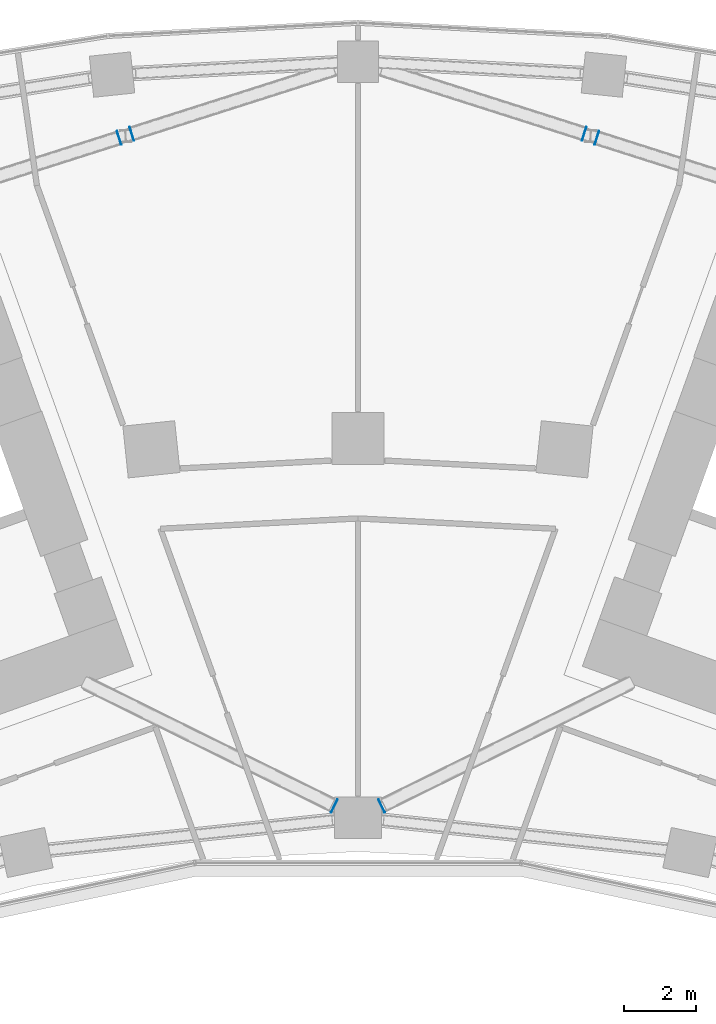
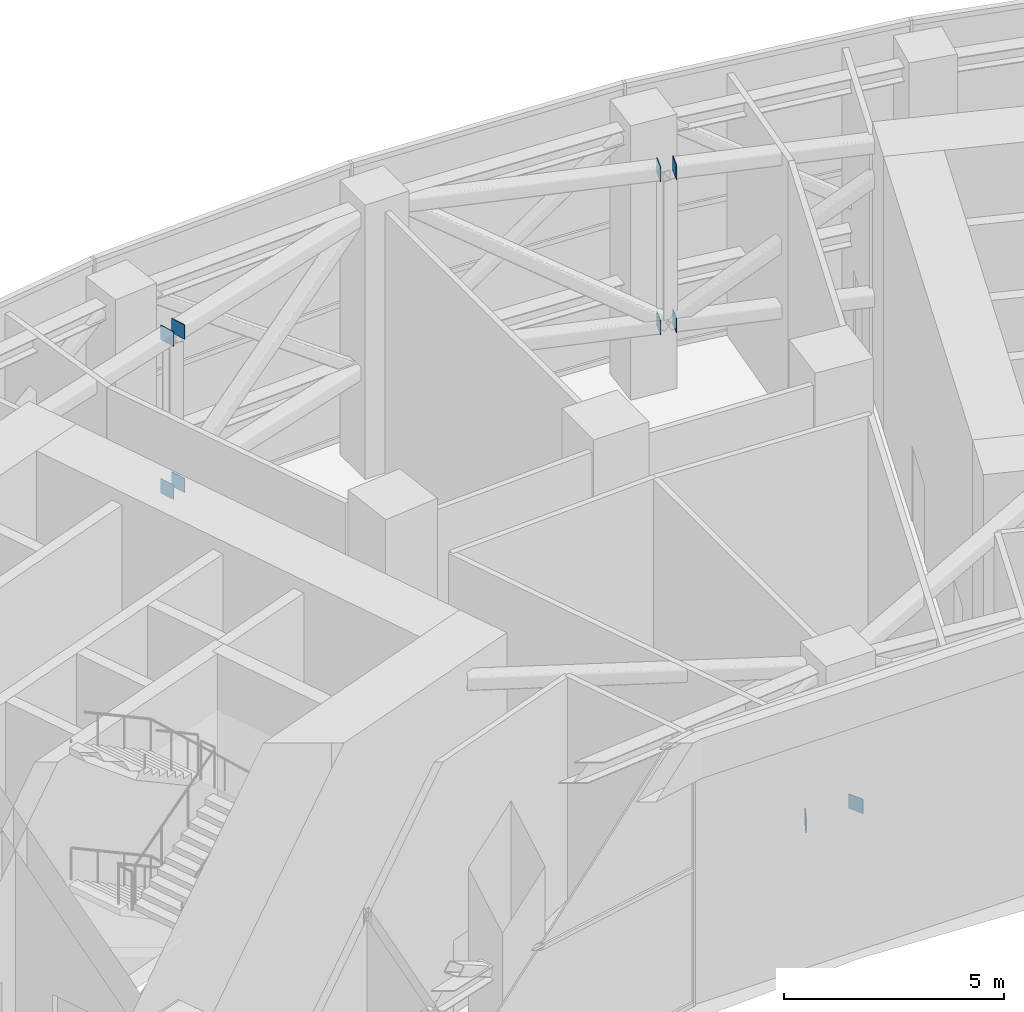
# One storey, part 21 of 30: 10 plates.
"""IFC4 building model written with IfcOpenShell, lengths in metres."""

from ifc_helpers import new_model, si_unit, direction, frame, origin, origin_2d, place, context, subcontext, project, spatial, rectangle, extrude, material, layer, layer_set, type_object, element, save


model = new_model("IFC4")

# Units and contexts
model_context = context("Model", 3, precision=1e-05, world=origin(), true_north=direction((0.0, 1.0)))
body_context = subcontext(model_context, "Body", "Model", "MODEL_VIEW")
ifc_project = project(units=[si_unit("LENGTHUNIT", "METRE"), si_unit("AREAUNIT", "SQUARE_METRE"), si_unit("VOLUMEUNIT", "CUBIC_METRE"), si_unit("PLANEANGLEUNIT", "RADIAN"), si_unit("MASSUNIT", "GRAM", prefix="KILO")], contexts=[model_context])

# Site, building, storey
site_placement = place(None, origin())
site = spatial("IfcSite", under=ifc_project, at=site_placement, CompositionType="ELEMENT")
building_placement = place(site_placement, origin())
building = spatial("IfcBuilding", under=site, at=building_placement, Name="Stone Belt Terrace Tower", CompositionType="ELEMENT")
storey_placement = place(building_placement, frame((0.0, 0.0, 136.39990234375)))
storey = spatial("IfcBuildingStorey", under=building, at=storey_placement, Name="L33", CompositionType="ELEMENT", Elevation=136.39990234375)

# Plates
ifc_material = material(Name="Structural steel C345", Category="steel")
ifc_layer = layer(ifc_material, 0.02001953125)
ifc_layer_set = layer_set([ifc_layer], Name="Chord end plate 20")
plate_type = type_object("IfcPlateType", Name="Chord end plate 20", PredefinedType="SHEET", material=ifc_layer_set)
for number, where, z_axis, x_axis, name in (
    (1, (-0.658935546875, 44.770751953125, 2.60009765625), (0.0, 0.0, 1.0), (0.896377367218, -0.443291795028, 0.0), "Chord end plate"),
    (2, (-6.29736328125, 63.482177734375, 6.85009765625), (0.0, 0.0, 1.0), (-0.952798819104, -0.303602388518, 0.0), "Chord end plate"),
    (3, (-6.29736328125, 63.482177734375, 2.60009765625), (0.0, 0.0, 1.0), (-0.952798819104, -0.303602388518, 0.0), "Chord end plate"),
    (4, (-6.64990234375, 63.3701171875, 6.85009765625), (0.0, 0.0, 1.0), (0.952798819104, 0.303602388518, 0.0), "Chord end plate"),
    (5, (-6.64990234375, 63.3701171875, 2.60009765625), (0.0, 0.0, 1.0), (0.952798819104, 0.303602388518, 0.0), "Chord end plate"),
    (6, (0.658935546875, 44.770751953125, 2.60009765625), (0.0, 0.0, 1.0), (-0.896377367218, -0.443291795028, 0.0), "Chord end plate"),
    (7, (6.29736328125, 63.482177734375, 6.85009765625), (0.0, 0.0, 1.0), (0.952798819104, -0.303602388518, 0.0), "Chord end plate"),
    (8, (6.29736328125, 63.482177734375, 2.60009765625), (0.0, 0.0, 1.0), (0.952798819104, -0.303602388518, 0.0), "Chord end plate"),
    (9, (6.64990234375, 63.3701171875, 6.85009765625), (0.0, 0.0, 1.0), (-0.952798819104, 0.303602388518, 0.0), "Chord end plate"),
    (10, (6.64990234375, 63.3701171875, 2.60009765625), (0.0, 0.0, 1.0), (-0.952798819104, 0.303602388518, 0.0), "Chord end plate"),
):
    element("IfcPlate", number, at=place(storey_placement, frame(where, z_axis=z_axis, x_axis=x_axis)), inside=storey, type_object=plate_type, Name=name, PredefinedType="SHEET", context=body_context, shape_type="SweptSolid", body=[
        extrude(rectangle(XDim=0.02001953125, YDim=0.39990234375, at=origin_2d()), origin(), (0.0, 0.0, 1.0), 0.39990234375),
    ])

save(model, "model.ifc")
